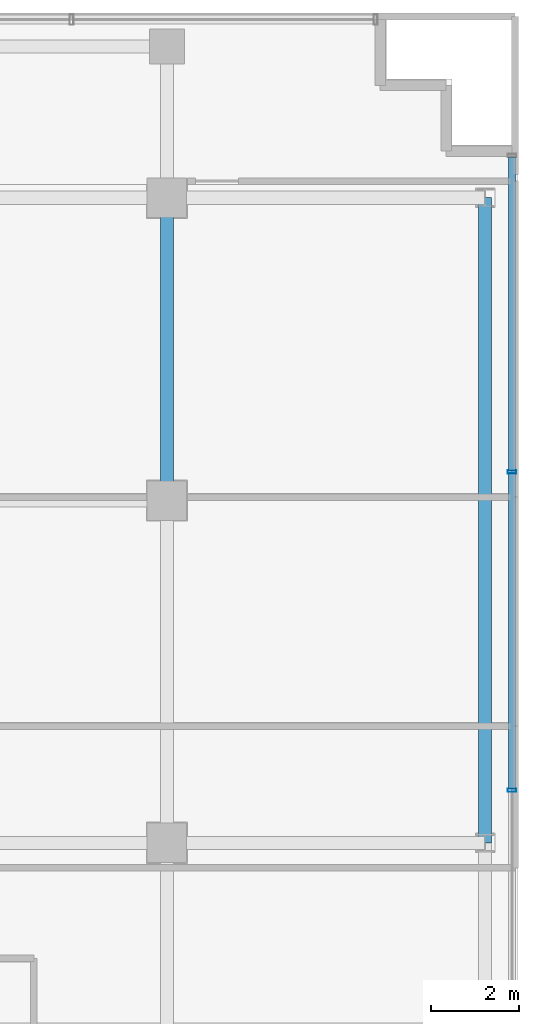
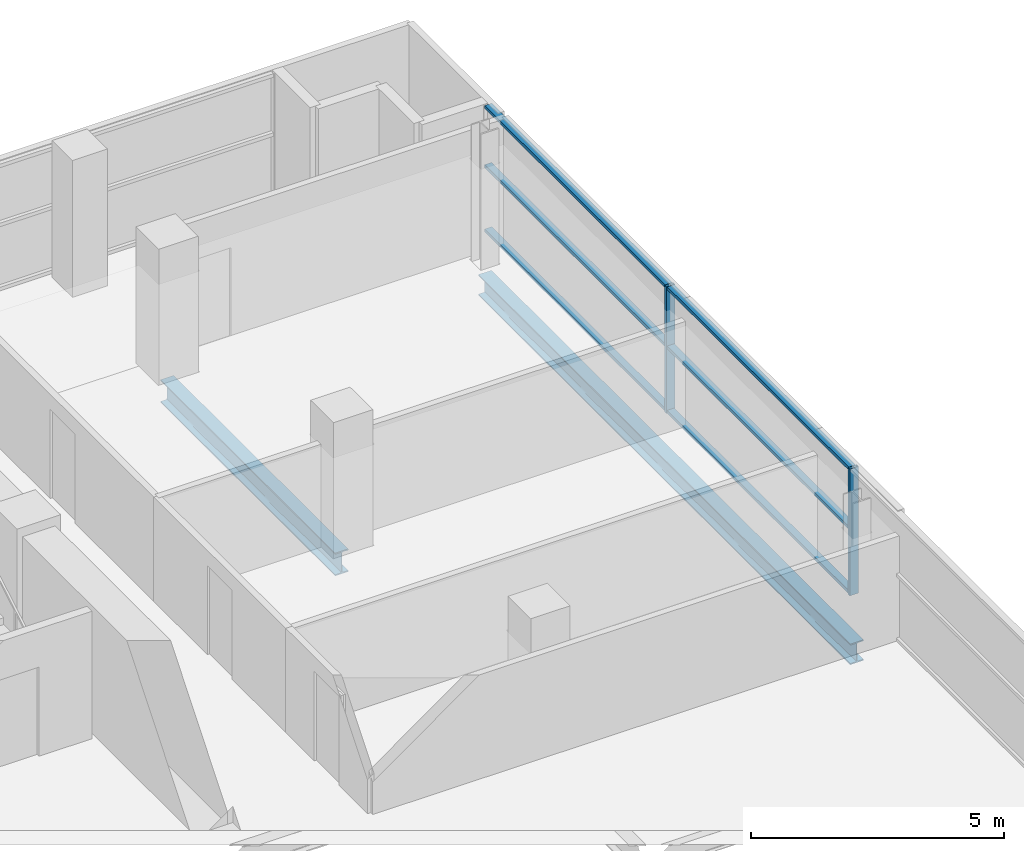
# One storey, part 9 of 23: 8 members, 2 beams, 1 element without a shape of its own.
"""IFC4 building model written with IfcOpenShell, lengths in metres."""

from ifc_helpers import new_model, si_unit, direction, frame, origin, origin_2d, place, context, subcontext, project, spatial, hollow_rectangle, i_section, extrude, source, transform, mapped, material, layer, layer_set, material_profile, profile_set, type_object, element, aggregate, save


model = new_model("IFC4")

# Units and contexts
model_context = context("Model", 3, precision=1e-05, world=origin(), true_north=direction((0.0, 1.0)))
body_context = subcontext(model_context, "Body", "Model", "MODEL_VIEW")
ifc_project = project(units=[si_unit("LENGTHUNIT", "METRE"), si_unit("AREAUNIT", "SQUARE_METRE"), si_unit("VOLUMEUNIT", "CUBIC_METRE"), si_unit("PLANEANGLEUNIT", "RADIAN"), si_unit("MASSUNIT", "GRAM", prefix="KILO")], contexts=[model_context])

# Site, building, storey
site_placement = place(None, origin())
site = spatial("IfcSite", under=ifc_project, at=site_placement, CompositionType="ELEMENT")
building_placement = place(site_placement, origin())
building = spatial("IfcBuilding", under=site, at=building_placement, Name="Zarnakvel Exchange Tower", CompositionType="ELEMENT")
storey_placement = place(building_placement, frame((0.0, 0.0, 123.10009765625)))
storey = spatial("IfcBuildingStorey", under=building, at=storey_placement, Name="L34", CompositionType="ELEMENT", Elevation=123.10009765625)

# Beams
ifc_material_1 = material(Name="Steel S355", Category="steel")
ifc_material_profile_1 = material_profile(ifc_material_1, i_section(OverallWidth=0.300048828125, OverallDepth=0.550048828125, WebThickness=0.014892578125, FlangeThickness=0.029052734375, FilletRadius=0.027099609375, at=origin_2d()))
ifc_profile_set_1 = profile_set([ifc_material_profile_1], Name="Steel S355")
beam_type_1 = type_object("IfcBeamType", Name="G-05", PredefinedType="BEAM", material=ifc_profile_set_1)
beam_1_placement = place(storey_placement, frame((21.60009765625, 6.60009765625, -0.5), z_axis=(0.0, 1.0, 0.0), x_axis=(-1.0, 0.0, 0.0)))
element("IfcBeam", 1, at=beam_1_placement, inside=storey, type_object=beam_type_1, Name="L34 Tower N-S Frame Beam", PredefinedType="BEAM", context=body_context, shape_type="SweptSolid", body=[
    extrude(i_section(OverallWidth=0.300048828125, OverallDepth=0.550048828125, WebThickness=0.014892578125, FlangeThickness=0.029052734375, FilletRadius=0.027099609375, at=origin_2d()), origin(), (0.0, 0.0, 1.0), 6.89990234375),
])
ifc_material_profile_2 = material_profile(ifc_material_1, i_section(OverallWidth=0.300048828125, OverallDepth=0.5, WebThickness=0.014404296875, FlangeThickness=0.028076171875, FilletRadius=0.027099609375, at=origin_2d()))
ifc_profile_set_2 = profile_set([ifc_material_profile_2], Name="Steel S355")
beam_type_2 = type_object("IfcBeamType", Name="SP-02", PredefinedType="SPANDREL", material=ifc_profile_set_2)
beam_2_placement = place(storey_placement, frame((28.85009765625, -1.199951171875, -0.47509765625), z_axis=(0.0, 1.0, 0.0), x_axis=(-1.0, 0.0, 0.0)))
element("IfcBeam", 2, at=beam_2_placement, inside=storey, type_object=beam_type_2, Name="L34 Tower N-S Frame Beam", PredefinedType="SPANDREL", context=body_context, shape_type="SweptSolid", body=[
    extrude(i_section(OverallWidth=0.300048828125, OverallDepth=0.5, WebThickness=0.014404296875, FlangeThickness=0.028076171875, FilletRadius=0.027099609375, at=origin_2d()), origin(), (0.0, 0.0, 1.0), 14.699951171875),
])

# Curtain wall, members
ifc_material_2 = material(Name="Architectural Bronze Anodised Aluminium", Category="aluminium")
ifc_layer = layer(ifc_material_2, 0.199951171875)
ifc_layer_set = layer_set([ifc_layer], Name="Architectural Bronze Anodised Aluminium")
curtain_wall_type = type_object("IfcCurtainWallType", Name="CW-04", PredefinedType="NOTDEFINED", material=ifc_layer_set)
curtain_wall_placement = place(storey_placement, origin())
curtain_wall = element("IfcCurtainWall", 3, at=curtain_wall_placement, inside=storey, type_object=curtain_wall_type, Name="L34 Curtain Wall CW-L34-E1 (CW-04)", PredefinedType="NOTDEFINED")
ifc_material_profile_3 = material_profile(ifc_material_2, hollow_rectangle(XDim=0.199951171875, YDim=0.074951171875, WallThickness=0.0048828125, at=origin_2d()))
ifc_profile_set_3 = profile_set([ifc_material_profile_3], Name="Architectural Bronze Anodised Aluminium")
member_type_1 = type_object("IfcMemberType", Name="CWM-04", PredefinedType="MULLION", material=ifc_profile_set_3)
shared_shape_1 = source(origin(), body_context, "Body", "SweptSolid", [
    extrude(hollow_rectangle(XDim=0.199951171875, YDim=0.074951171875, WallThickness=0.0048828125, at=origin_2d()), origin(), (0.0, 0.0, 1.0), 3.054931640625),
])
member_1_placement = place(storey_placement, frame((29.4599609375, 0.0, 0.0), z_axis=(0.0, 0.0, 1.0), x_axis=(-1.0, 0.0, 0.0)))
member_1 = element("IfcMember", 4, at=member_1_placement, type_object=member_type_1, Name="CW-04 mullion 3", PredefinedType="MULLION", context=body_context, shape_type="MappedRepresentation", body=[
    mapped(shared_shape_1, transform((0.0, 0.0, 0.0), x_axis=(1.0, 0.0, 0.0), y_axis=(0.0, 1.0, 0.0), z_axis=(0.0, 0.0, 1.0), scale=1.0)),
])
member_2_placement = place(storey_placement, frame((29.4599609375, 7.25, 0.0), z_axis=(0.0, 0.0, 1.0), x_axis=(-1.0, 0.0, 0.0)))
member_2 = element("IfcMember", 5, at=member_2_placement, type_object=member_type_1, Name="CW-04 mullion 4", PredefinedType="MULLION", context=body_context, shape_type="MappedRepresentation", body=[
    mapped(shared_shape_1, transform((0.0, 0.0, 0.0), x_axis=(1.0, 0.0, 0.0), y_axis=(0.0, 1.0, 0.0), z_axis=(0.0, 0.0, 1.0), scale=1.0)),
])
ifc_material_profile_4 = material_profile(ifc_material_2, hollow_rectangle(XDim=0.159912109375, YDim=0.074951171875, WallThickness=0.00390625, at=origin_2d()))
ifc_profile_set_4 = profile_set([ifc_material_profile_4], Name="Architectural Bronze Anodised Aluminium")
member_type_2 = type_object("IfcMemberType", Name="CWT-04", PredefinedType="USERDEFINED", material=ifc_profile_set_4)
shared_shape_2 = source(origin(), body_context, "Body", "SweptSolid", [
    extrude(hollow_rectangle(XDim=0.159912109375, YDim=0.074951171875, WallThickness=0.00390625, at=origin_2d()), origin(), (0.0, 0.0, 1.0), 7.137451171875),
])
member_3_placement = place(storey_placement, frame((29.4599609375, 7.28759765625, 0.037353515625), z_axis=(0.0, 1.0, 0.0), x_axis=(-1.0, 0.0, 0.0)))
member_3 = element("IfcMember", 6, at=member_3_placement, type_object=member_type_2, Name="CW-04 transom 4.1", ObjectType="TRANSOM", PredefinedType="USERDEFINED", context=body_context, shape_type="MappedRepresentation", body=[
    mapped(shared_shape_2, transform((0.0, 0.0, 0.0), x_axis=(1.0, 0.0, 0.0), y_axis=(0.0, 1.0, 0.0), z_axis=(0.0, 0.0, 1.0), scale=1.0)),
])
member_4_placement = place(storey_placement, frame((29.4599609375, 7.28759765625, 1.588623046875), z_axis=(0.0, 1.0, 0.0), x_axis=(-1.0, 0.0, 0.0)))
member_4 = element("IfcMember", 7, at=member_4_placement, type_object=member_type_2, Name="CW-04 transom 4.2", ObjectType="TRANSOM", PredefinedType="USERDEFINED", context=body_context, shape_type="MappedRepresentation", body=[
    mapped(shared_shape_2, transform((0.0, 0.0, 0.0), x_axis=(1.0, 0.0, 0.0), y_axis=(0.0, 1.0, 0.0), z_axis=(0.0, 0.0, 1.0), scale=1.0)),
])
member_5_placement = place(storey_placement, frame((29.4599609375, 7.28759765625, 3.017333984375), z_axis=(0.0, 1.0, 0.0), x_axis=(-1.0, 0.0, 0.0)))
member_5 = element("IfcMember", 8, at=member_5_placement, type_object=member_type_2, Name="CW-04 transom 4.3", ObjectType="TRANSOM", PredefinedType="USERDEFINED", context=body_context, shape_type="MappedRepresentation", body=[
    mapped(shared_shape_2, transform((0.0, 0.0, 0.0), x_axis=(1.0, 0.0, 0.0), y_axis=(0.0, 1.0, 0.0), z_axis=(0.0, 0.0, 1.0), scale=1.0)),
])
shared_shape_3 = source(origin(), body_context, "Body", "SweptSolid", [
    extrude(hollow_rectangle(XDim=0.159912109375, YDim=0.074951171875, WallThickness=0.00390625, at=origin_2d()), origin(), (0.0, 0.0, 1.0), 7.1748046875),
])
member_6_placement = place(storey_placement, frame((29.4599609375, 0.03759765625, 0.037353515625), z_axis=(0.0, 1.0, 0.0), x_axis=(-1.0, 0.0, 0.0)))
member_6 = element("IfcMember", 9, at=member_6_placement, type_object=member_type_2, Name="CW-04 transom 3.1", ObjectType="TRANSOM", PredefinedType="USERDEFINED", context=body_context, shape_type="MappedRepresentation", body=[
    mapped(shared_shape_3, transform((0.0, 0.0, 0.0), x_axis=(1.0, 0.0, 0.0), y_axis=(0.0, 1.0, 0.0), z_axis=(0.0, 0.0, 1.0), scale=1.0)),
])
member_7_placement = place(storey_placement, frame((29.4599609375, 0.03759765625, 1.588623046875), z_axis=(0.0, 1.0, 0.0), x_axis=(-1.0, 0.0, 0.0)))
member_7 = element("IfcMember", 10, at=member_7_placement, type_object=member_type_2, Name="CW-04 transom 3.2", ObjectType="TRANSOM", PredefinedType="USERDEFINED", context=body_context, shape_type="MappedRepresentation", body=[
    mapped(shared_shape_3, transform((0.0, 0.0, 0.0), x_axis=(1.0, 0.0, 0.0), y_axis=(0.0, 1.0, 0.0), z_axis=(0.0, 0.0, 1.0), scale=1.0)),
])
member_8_placement = place(storey_placement, frame((29.4599609375, 0.03759765625, 3.017333984375), z_axis=(0.0, 1.0, 0.0), x_axis=(-1.0, 0.0, 0.0)))
member_8 = element("IfcMember", 11, at=member_8_placement, type_object=member_type_2, Name="CW-04 transom 3.3", ObjectType="TRANSOM", PredefinedType="USERDEFINED", context=body_context, shape_type="MappedRepresentation", body=[
    mapped(shared_shape_3, transform((0.0, 0.0, 0.0), x_axis=(1.0, 0.0, 0.0), y_axis=(0.0, 1.0, 0.0), z_axis=(0.0, 0.0, 1.0), scale=1.0)),
])
aggregate(curtain_wall, [member_1, member_2, member_6, member_7, member_8, member_3, member_4, member_5])

save(model, "model.ifc")
